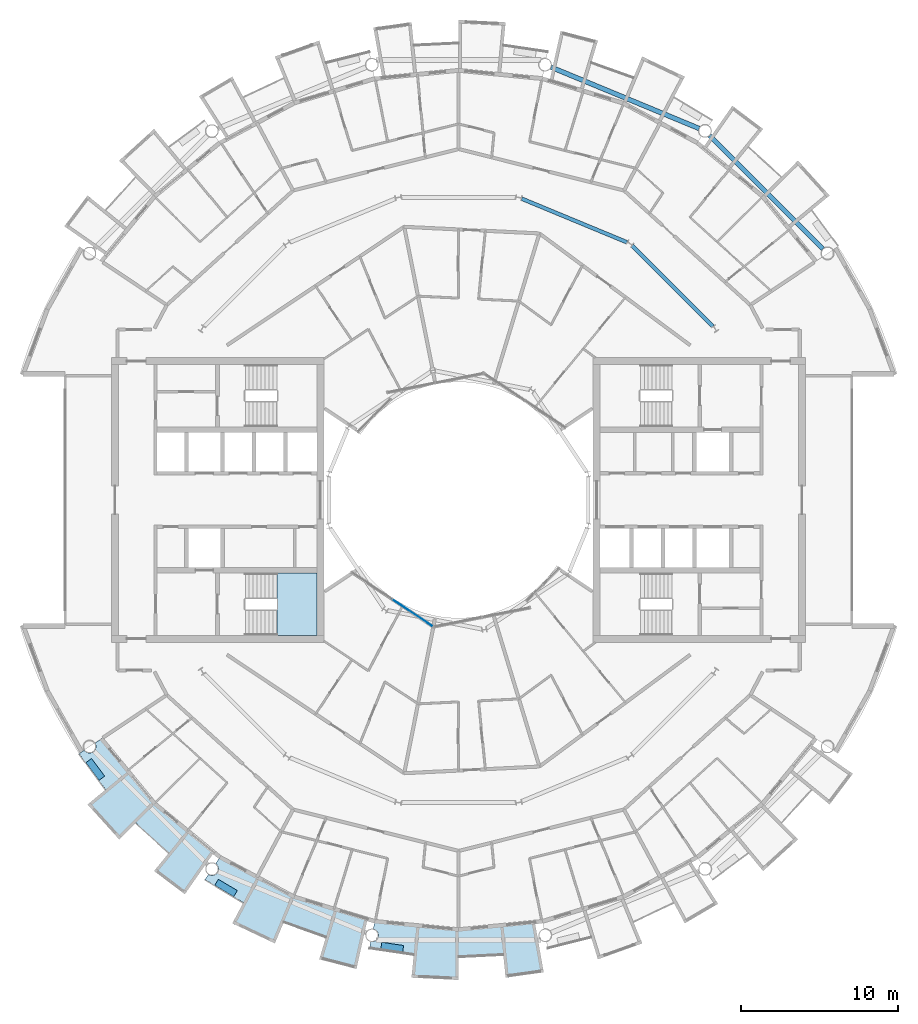
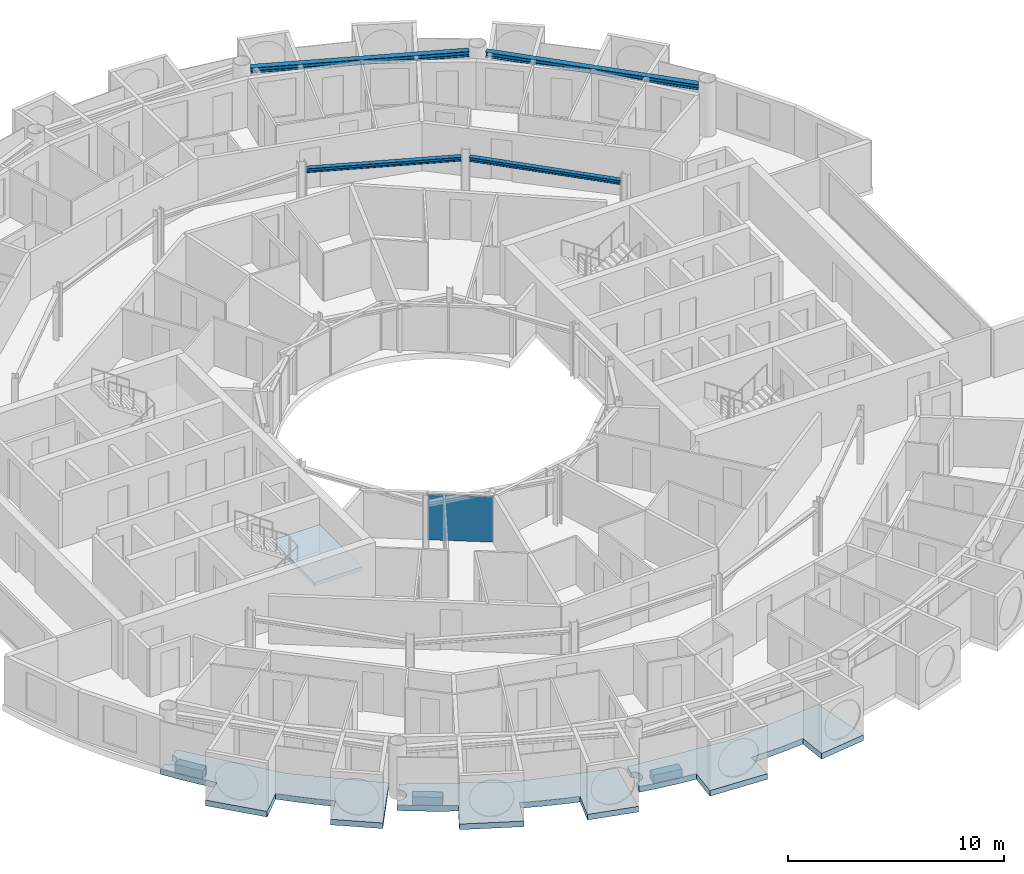
# One storey, part 11 of 29: 7 slabs, 4 beams, 1 plate, 2 elements without a shape of their own.
"""IFC4 building model written with IfcOpenShell, lengths in metres."""

from ifc_helpers import new_model, si_unit, direction, frame, origin, origin_2d, place, context, subcontext, project, spatial, polyline, rectangle, i_section, outline, extrude, material, layer, layer_set, material_profile, profile_set, type_object, element, aggregate, save


model = new_model("IFC4")

# Units and contexts
model_context = context("Model", 3, precision=1e-05, world=origin(), true_north=direction((0.0, 1.0)))
body_context = subcontext(model_context, "Body", "Model", "MODEL_VIEW")
ifc_project = project(units=[si_unit("LENGTHUNIT", "METRE"), si_unit("AREAUNIT", "SQUARE_METRE"), si_unit("VOLUMEUNIT", "CUBIC_METRE"), si_unit("PLANEANGLEUNIT", "RADIAN"), si_unit("MASSUNIT", "GRAM", prefix="KILO")], contexts=[model_context])

# Site, building, storey
site_placement = place(None, origin())
site = spatial("IfcSite", under=ifc_project, at=site_placement, CompositionType="ELEMENT")
building_placement = place(site_placement, origin())
building = spatial("IfcBuilding", under=site, at=building_placement, Name="Maasbend Ring Residences", CompositionType="ELEMENT")
storey_placement = place(building_placement, frame((0.0, 0.0, 190.199951171875)))
storey = spatial("IfcBuildingStorey", under=building, at=storey_placement, Name="L54", CompositionType="ELEMENT", Elevation=190.199951171875)

# Beams
ifc_material_1 = material(Name="Steel S355J2", Category="steel")
ifc_material_profile_1 = material_profile(ifc_material_1, i_section(OverallWidth=0.239990234375, OverallDepth=0.22998046875, WebThickness=0.007568359375, FlangeThickness=0.011962890625, FilletRadius=0.02099609375, at=origin_2d()), Name="HEA 240")
ifc_profile_set_1 = profile_set([ifc_material_profile_1], Name="Steel S355J2")
beam_type_1 = type_object("IfcBeamType", Name="Corridor ring beam HEA 240", PredefinedType="BEAM", material=ifc_profile_set_1)
beam_1_placement = place(storey_placement, frame((16.152587890625, 11.033447265625, 2.5849609375), z_axis=(-0.707106781187, 0.707106781187, 0.0), x_axis=(-0.707106781187, -0.707106781187, 0.0)))
element("IfcBeam", 1, at=beam_1_placement, inside=storey, type_object=beam_type_1, Name="Corridor ring beam", PredefinedType="BEAM", context=body_context, shape_type="SweptSolid", body=[
    extrude(i_section(OverallWidth=0.239990234375, OverallDepth=0.22998046875, WebThickness=0.007568359375, FlangeThickness=0.011962890625, FilletRadius=0.02099609375, at=origin_2d()), origin(), (0.0, 0.0, 1.0), 7.239501953125),
])
beam_2_placement = place(storey_placement, frame((10.70068359375, 16.374755859375, 2.5849609375), z_axis=(-0.923865162022, 0.382718123952, 0.0), x_axis=(-0.382718123952, -0.923865162022, 0.0)))
element("IfcBeam", 2, at=beam_2_placement, inside=storey, type_object=beam_type_1, Name="Corridor ring beam", PredefinedType="BEAM", context=body_context, shape_type="SweptSolid", body=[
    extrude(i_section(OverallWidth=0.239990234375, OverallDepth=0.22998046875, WebThickness=0.007568359375, FlangeThickness=0.011962890625, FilletRadius=0.02099609375, at=origin_2d()), origin(), (0.0, 0.0, 1.0), 7.23974609375),
])
ifc_material_2 = material(Name="Steel S355J2", Category="steel")
ifc_material_profile_2 = material_profile(ifc_material_2, i_section(OverallWidth=0.300048828125, OverallDepth=0.300048828125, WebThickness=0.010986328125, FlangeThickness=0.01904296875, FilletRadius=0.027099609375, at=origin_2d()), Name="HEB 300")
ifc_profile_set_2 = profile_set([ifc_material_profile_2], Name="Steel S355J2")
beam_type_2 = type_object("IfcBeamType", Name="Spandrel ring beam HEB 300", PredefinedType="SPANDREL", material=ifc_profile_set_2)
for number, where, z_axis, x_axis, name in (
    (3, (23.159912109375, 15.95458984375, 2.550048828125), (-0.707106781187, 0.707106781187, 0.0), (-0.707106781187, -0.707106781187, 0.0), "Spandrel ring beam"),
    (4, (15.29150390625, 23.60302734375, 2.550048828125), (-0.923883676188, 0.382673428492, 0.0), (-0.382673428492, -0.923883676188, 0.0), "Spandrel ring beam"),
):
    element("IfcBeam", number, at=place(storey_placement, frame(where, z_axis=z_axis, x_axis=x_axis)), inside=storey, type_object=beam_type_2, Name=name, PredefinedType="SPANDREL", context=body_context, shape_type="SweptSolid", body=[
        extrude(i_section(OverallWidth=0.300048828125, OverallDepth=0.300048828125, WebThickness=0.010986328125, FlangeThickness=0.01904296875, FilletRadius=0.027099609375, at=origin_2d()), origin(), (0.0, 0.0, 1.0), 10.18994140625),
    ])

# Stair, slab
ifc_material_3 = material(Name="Concrete C40/50", Category="concrete")
stair_type = type_object("IfcStairType", Name="CORE STAIR 18 RISERS", PredefinedType="HALF_TURN_STAIR", material=ifc_material_3)
stair_placement = place(storey_placement, origin())
stair = element("IfcStair", 5, at=stair_placement, inside=storey, type_object=stair_type, Name="L54 Exit stair ST-W1", PredefinedType="HALF_TURN_STAIR")
ifc_material_4 = material(Name="Concrete C40/50", Category="concrete")
ifc_layer_1 = layer(ifc_material_4, 0.199951171875)
ifc_layer_set_1 = layer_set([ifc_layer_1], Name="Concrete C40/50")
slab_type_1 = type_object("IfcSlabType", Name="CORE STAIR LANDING 200", PredefinedType="LANDING", material=ifc_layer_set_1)
slab_1_placement = place(storey_placement, frame((0.0, 0.0, 1.324951171875)))
slab_1 = element("IfcSlab", 6, at=slab_1_placement, type_object=slab_type_1, Name="ST-W1 landing 1", PredefinedType="LANDING", context=body_context, shape_type="SweptSolid", body=[
    extrude(outline(polyline([(-11.550048828125, -8.60009765625), (-9.0, -8.60009765625), (-9.0, -4.64990234375), (-11.550048828125, -4.64990234375), (-11.550048828125, -8.60009765625)])), origin(), (0.0, 0.0, 1.0), 0.2001953125),
])
aggregate(stair, [slab_1])

# Curtain wall, plate
ifc_material_5 = material(Name="Aluminium and clear glass", Category="aluminium")
ifc_layer_2 = layer(ifc_material_5, 0.179931640625)
ifc_layer_set_2 = layer_set([ifc_layer_2], Name="CW-W")
curtain_wall_type = type_object("IfcCurtainWallType", Name="CW-W", PredefinedType="NOTDEFINED", material=ifc_layer_set_2)
curtain_wall_placement = place(storey_placement, origin())
curtain_wall = element("IfcCurtainWall", 7, at=curtain_wall_placement, inside=storey, type_object=curtain_wall_type, Name="Well curtain wall S1", PredefinedType="NOTDEFINED")
ifc_material_6 = material(Name="Glass clear laminated", Category="glass")
ifc_layer_3 = layer(ifc_material_6, 0.031982421875)
ifc_layer_set_3 = layer_set([ifc_layer_3], Name="CWP-W")
plate_type = type_object("IfcPlateType", Name="CWP-W", PredefinedType="CURTAIN_PANEL", material=ifc_layer_set_3)
plate_placement = place(storey_placement, frame((-2.922119140625, -7.17578125, 0.0), z_axis=(0.0, 0.0, 1.0), x_axis=(0.831469612303, -0.55557023302, 0.0)))
plate = element("IfcPlate", 8, at=plate_placement, type_object=plate_type, Name="Glass panel well face", PredefinedType="CURTAIN_PANEL", context=body_context, shape_type="SweptSolid", body=[
    extrude(rectangle(XDim=3.053955078125, YDim=0.031982421875, at=origin_2d()), origin(), (0.0, 0.0, 1.0), 2.580078125),
])
aggregate(curtain_wall, [plate])

# Slabs
ifc_material_7 = material(Name="Planting with climbing greenery")
ifc_layer_4 = layer(ifc_material_7, 0.449951171875)
ifc_layer_set_4 = layer_set([ifc_layer_4], Name="PLANTER-LG")
slab_type_2 = type_object("IfcSlabType", Name="PLANTER-LG", PredefinedType="USERDEFINED", material=ifc_layer_set_4)
slab_2_placement = place(storey_placement, frame((0.0, 0.0, -0.030029296875)))
element("IfcSlab", 9, at=slab_2_placement, inside=storey, type_object=slab_type_2, Name="Planter with climbing greenery 1", ObjectType="PLANTER", PredefinedType="USERDEFINED", context=body_context, shape_type="SweptSolid", body=[
    extrude(outline(polyline([(-23.681884765625, -16.69189453125), (-22.847900390625, -17.81689453125), (-22.487060546875, -17.549072265625), (-23.321044921875, -16.424072265625), (-23.681884765625, -16.69189453125)])), origin(), (0.0, 0.0, 1.0), 0.4501953125),
])
slab_3_placement = place(storey_placement, frame((0.0, 0.0, -0.030029296875)))
element("IfcSlab", 10, at=slab_3_placement, inside=storey, type_object=slab_type_2, Name="Planter with climbing greenery 2", ObjectType="PLANTER", PredefinedType="USERDEFINED", context=body_context, shape_type="SweptSolid", body=[
    extrude(outline(polyline([(-15.490966796875, -24.48388671875), (-14.291015625, -25.2041015625), (-14.05908203125, -24.818115234375), (-15.260009765625, -24.097900390625), (-15.490966796875, -24.48388671875)])), origin(), (0.0, 0.0, 1.0), 0.4501953125),
])
slab_4_placement = place(storey_placement, frame((0.0, 0.0, -0.030029296875)))
element("IfcSlab", 11, at=slab_4_placement, inside=storey, type_object=slab_type_2, Name="Planter with climbing greenery 3", ObjectType="PLANTER", PredefinedType="USERDEFINED", context=body_context, shape_type="SweptSolid", body=[
    extrude(outline(polyline([(-4.94189453125, -28.549072265625), (-3.55810546875, -28.75390625), (-3.491943359375, -28.30908203125), (-4.8759765625, -28.10400390625), (-4.94189453125, -28.549072265625)])), origin(), (0.0, 0.0, 1.0), 0.4501953125),
])
ifc_material_8 = material(Name="Concrete C40/50", Category="concrete")
ifc_layer_5 = layer(ifc_material_8, 0.199951171875)
ifc_layer_set_5 = layer_set([ifc_layer_5], Name="Concrete C40/50")
slab_type_3 = type_object("IfcSlabType", Name="SL-LOGGIA", PredefinedType="FLOOR", material=ifc_layer_set_5)
slab_5_placement = place(storey_placement, frame((0.0, 0.0, -0.349853515625)))
element("IfcSlab", 12, at=slab_5_placement, inside=storey, type_object=slab_type_3, Name="Loggia floor 1", PredefinedType="FLOOR", context=body_context, shape_type="SweptSolid", body=[
    extrude(outline(polyline([(-15.866943359375, -23.801025390625), (-15.85888671875, -23.805908203125), (-15.85009765625, -23.81005859375), (-15.841064453125, -23.81494140625), (-15.83203125, -23.819091796875), (-15.822998046875, -23.822998046875), (-15.81298828125, -23.826904296875), (-15.803955078125, -23.830078125), (-15.794921875, -23.8330078125), (-15.784912109375, -23.8359375), (-15.77587890625, -23.839111328125), (-15.76611328125, -23.842041015625), (-15.756103515625, -23.843994140625), (-15.74609375, -23.845947265625), (-15.737060546875, -23.847900390625), (-15.72705078125, -23.85009765625), (-15.717041015625, -23.85107421875), (-15.70703125, -23.85205078125), (-15.697021484375, -23.85302734375), (-15.68701171875, -23.85302734375), (-15.677001953125, -23.85400390625), (-15.6669921875, -23.85400390625), (-15.656982421875, -23.85400390625), (-15.64697265625, -23.85302734375), (-15.636962890625, -23.85302734375), (-15.626953125, -23.85205078125), (-15.616943359375, -23.85107421875), (-15.60693359375, -23.85009765625), (-15.597900390625, -23.847900390625), (-15.587890625, -23.845947265625), (-15.577880859375, -23.843994140625), (-15.568115234375, -23.842041015625), (-15.55908203125, -23.839111328125), (-15.549072265625, -23.8359375), (-15.5400390625, -23.8330078125), (-15.530029296875, -23.830078125), (-15.52099609375, -23.826904296875), (-15.511962890625, -23.822998046875), (-15.501953125, -23.819091796875), (-15.492919921875, -23.81494140625), (-15.48388671875, -23.81005859375), (-15.47509765625, -23.805908203125), (-15.467041015625, -23.801025390625), (-15.4580078125, -23.7958984375), (-15.449951171875, -23.791015625), (-15.44091796875, -23.784912109375), (-15.43310546875, -23.780029296875), (-15.425048828125, -23.77392578125), (-15.4169921875, -23.76806640625), (-15.408935546875, -23.761962890625), (-15.402099609375, -23.7548828125), (-15.39404296875, -23.7490234375), (-15.386962890625, -23.741943359375), (-15.3798828125, -23.735107421875), (-15.373046875, -23.72802734375), (-15.365966796875, -23.719970703125), (-15.35888671875, -23.712890625), (-15.35302734375, -23.705078125), (-15.346923828125, -23.697021484375), (-15.341064453125, -23.68994140625), (-15.3349609375, -23.680908203125), (-15.3291015625, -23.673095703125), (-15.323974609375, -23.6650390625), (-15.318115234375, -23.656005859375), (-15.31298828125, -23.64794921875), (-15.30908203125, -23.638916015625), (-15.303955078125, -23.6298828125), (-15.300048828125, -23.62109375), (-15.294921875, -23.612060546875), (-15.2919921875, -23.60302734375), (-15.2880859375, -23.593994140625), (-15.283935546875, -23.583984375), (-15.281005859375, -23.574951171875), (-15.278076171875, -23.56494140625), (-15.27490234375, -23.555908203125), (-15.27294921875, -23.5458984375), (-15.27001953125, -23.535888671875), (-15.26806640625, -23.527099609375), (-15.26708984375, -23.51708984375), (-15.264892578125, -23.507080078125), (-15.263916015625, -23.4970703125), (-15.262939453125, -23.487060546875), (-15.261962890625, -23.47705078125), (-15.260986328125, -23.467041015625), (-15.260986328125, -23.45703125), (-15.260986328125, -23.447021484375), (-15.260986328125, -23.43701171875), (-15.260986328125, -23.427001953125), (-15.261962890625, -23.4169921875), (-15.262939453125, -23.407958984375), (-15.263916015625, -23.39794921875), (-15.264892578125, -23.387939453125), (-15.26708984375, -23.3779296875), (-15.26806640625, -23.367919921875), (-15.27001953125, -23.35791015625), (-15.27294921875, -23.34912109375), (-15.27490234375, -23.339111328125), (-15.278076171875, -23.3291015625), (-15.281005859375, -23.320068359375), (-15.283935546875, -23.31005859375), (-15.2880859375, -23.301025390625), (-15.2919921875, -23.2919921875), (-15.294921875, -23.282958984375), (-15.300048828125, -23.27392578125), (-15.303955078125, -23.264892578125), (-15.30908203125, -23.256103515625), (-15.31298828125, -23.2470703125), (-15.318115234375, -23.238037109375), (-15.323974609375, -23.22998046875), (-15.3291015625, -23.221923828125), (-15.3349609375, -23.212890625), (-15.341064453125, -23.205078125), (-15.346923828125, -23.197021484375), (-15.35302734375, -23.18994140625), (-15.35888671875, -23.181884765625), (-15.365966796875, -23.174072265625), (-15.373046875, -23.1669921875), (-15.3798828125, -23.159912109375), (-15.386962890625, -23.153076171875), (-15.39404296875, -23.14599609375), (-15.402099609375, -23.139892578125), (-15.408935546875, -23.133056640625), (-15.4169921875, -23.126953125), (-15.425048828125, -23.12109375), (-15.43310546875, -23.114990234375), (-15.44091796875, -23.10888671875), (-15.1669921875, -22.698974609375), (-15.1669921875, -22.698974609375), (-15.1669921875, -22.698974609375), (-12.806884765625, -23.9609375), (-10.447021484375, -25.221923828125), (-10.447021484375, -25.221923828125), (-10.447021484375, -25.221923828125), (-7.886962890625, -25.9990234375), (-5.797119140625, -26.633056640625), (-5.797119140625, -26.633056640625), (-5.797119140625, -26.633056640625), (-6.487060546875, -29.802001953125), (-6.487060546875, -29.802001953125), (-6.487060546875, -29.802001953125), (-8.85400390625, -29.18701171875), (-8.85400390625, -29.18701171875), (-8.85400390625, -29.18701171875), (-8.41796875, -27.751953125), (-8.41796875, -27.751953125), (-8.41796875, -27.751953125), (-8.41796875, -27.751953125), (-8.41796875, -27.751953125), (-8.41796875, -27.751953125), (-8.41796875, -27.7509765625), (-8.41796875, -27.7509765625), (-8.41796875, -27.7509765625), (-8.41796875, -27.7509765625), (-8.41796875, -27.7509765625), (-8.4189453125, -27.7509765625), (-8.4189453125, -27.7509765625), (-8.4189453125, -27.7509765625), (-8.4189453125, -27.7509765625), (-8.4189453125, -27.7509765625), (-8.4189453125, -27.7509765625), (-9.322021484375, -27.4609375), (-9.322021484375, -27.4609375), (-10.215087890625, -27.14111328125), (-10.215087890625, -27.14111328125), (-11.096923828125, -26.79296875), (-11.096923828125, -26.79296875), (-11.096923828125, -26.79296875), (-11.097900390625, -26.79296875), (-11.097900390625, -26.79296875), (-11.097900390625, -26.79296875), (-11.097900390625, -26.79296875), (-11.097900390625, -26.79296875), (-11.097900390625, -26.79296875), (-11.097900390625, -26.79296875), (-11.097900390625, -26.79296875), (-11.097900390625, -26.79296875), (-11.097900390625, -26.79296875), (-11.097900390625, -26.79296875), (-11.097900390625, -26.79296875), (-11.097900390625, -26.79296875), (-11.097900390625, -26.79296875), (-11.672119140625, -28.177978515625), (-11.672119140625, -28.177978515625), (-11.672119140625, -28.177978515625), (-14.3779296875, -26.89892578125), (-14.3779296875, -26.89892578125), (-14.3779296875, -26.89892578125), (-13.6708984375, -25.575927734375), (-13.6708984375, -25.575927734375), (-13.6708984375, -25.575927734375), (-13.6708984375, -25.575927734375), (-13.6708984375, -25.575927734375), (-13.6708984375, -25.575927734375), (-13.6708984375, -25.575927734375), (-13.6708984375, -25.575927734375), (-13.6708984375, -25.575927734375), (-13.6708984375, -25.575927734375), (-13.6708984375, -25.575927734375), (-13.6708984375, -25.575927734375), (-13.6708984375, -25.575927734375), (-13.6708984375, -25.575927734375), (-13.6708984375, -25.575927734375), (-13.6708984375, -25.575927734375), (-13.6708984375, -25.574951171875), (-14.5, -25.114990234375), (-14.5, -25.114990234375), (-15.31396484375, -24.626953125), (-15.31396484375, -24.626953125), (-16.112060546875, -24.113037109375), (-16.112060546875, -24.113037109375), (-16.112060546875, -24.113037109375), (-15.89306640625, -23.784912109375), (-15.885009765625, -23.791015625), (-15.8759765625, -23.7958984375), (-15.866943359375, -23.801025390625)])), origin(), (0.0, 0.0, 1.0), 0.31982421875),
])
slab_6_placement = place(storey_placement, frame((0.0, 0.0, -0.349853515625)))
element("IfcSlab", 13, at=slab_6_placement, inside=storey, type_object=slab_type_3, Name="Loggia floor 3", PredefinedType="FLOOR", context=body_context, shape_type="SweptSolid", body=[
    extrude(outline(polyline([(-2.6630859375, -27.0380859375), (0.0, -27.300048828125), (0.0, -27.300048828125), (0.0, -27.300048828125), (2.6630859375, -27.0380859375), (4.8359375, -26.823974609375), (4.8359375, -26.823974609375), (4.8359375, -26.823974609375), (5.412109375, -30.01611328125), (5.412109375, -30.01611328125), (5.412109375, -30.01611328125), (2.989990234375, -30.35302734375), (2.989990234375, -30.35302734375), (2.989990234375, -30.35302734375), (2.843017578125, -28.861083984375), (2.843017578125, -28.861083984375), (2.843017578125, -28.861083984375), (2.843017578125, -28.861083984375), (2.842041015625, -28.861083984375), (2.842041015625, -28.861083984375), (2.842041015625, -28.861083984375), (2.842041015625, -28.861083984375), (2.842041015625, -28.861083984375), (2.842041015625, -28.860107421875), (2.842041015625, -28.860107421875), (2.842041015625, -28.860107421875), (2.842041015625, -28.860107421875), (2.842041015625, -28.860107421875), (2.842041015625, -28.860107421875), (2.842041015625, -28.860107421875), (2.842041015625, -28.860107421875), (1.89697265625, -28.93798828125), (1.89697265625, -28.93798828125), (0.948974609375, -28.98388671875), (0.948974609375, -28.98388671875), (0.0, -29.0), (0.0, -29.0), (0.0, -29.0), (0.0, -29.0), (0.0, -29.0), (0.0, -29.0), (0.0, -29.0), (0.0, -29.0), (0.0, -29.0), (0.0, -29.0), (0.0, -29.0), (0.0, -29.0), (0.0, -29.0), (0.0, -29.0), (0.0, -29.0), (0.0, -29.0), (0.0, -29.0), (0.0, -30.5), (0.0, -30.5), (0.0, -30.5), (-2.989990234375, -30.35302734375), (-2.989990234375, -30.35302734375), (-2.989990234375, -30.35302734375), (-2.843017578125, -28.861083984375), (-2.843017578125, -28.861083984375), (-2.843017578125, -28.861083984375), (-2.843017578125, -28.861083984375), (-2.843017578125, -28.861083984375), (-2.843017578125, -28.861083984375), (-2.843017578125, -28.861083984375), (-2.843017578125, -28.861083984375), (-2.843017578125, -28.860107421875), (-2.843017578125, -28.860107421875), (-2.843017578125, -28.860107421875), (-2.843017578125, -28.860107421875), (-2.843017578125, -28.860107421875), (-2.843017578125, -28.860107421875), (-2.843017578125, -28.860107421875), (-2.843017578125, -28.860107421875), (-2.843017578125, -28.860107421875), (-3.784912109375, -28.751953125), (-3.784912109375, -28.751953125), (-4.72412109375, -28.613037109375), (-4.72412109375, -28.613037109375), (-5.657958984375, -28.443115234375), (-5.657958984375, -28.443115234375), (-5.657958984375, -28.443115234375), (-5.5810546875, -28.056884765625), (-5.5810546875, -28.056884765625), (-5.571044921875, -28.05908203125), (-5.56103515625, -28.06005859375), (-5.551025390625, -28.06201171875), (-5.541015625, -28.06298828125), (-5.531005859375, -28.06298828125), (-5.52099609375, -28.06396484375), (-5.510986328125, -28.06396484375), (-5.501953125, -28.06494140625), (-5.491943359375, -28.06396484375), (-5.48193359375, -28.06396484375), (-5.471923828125, -28.06298828125), (-5.4619140625, -28.06298828125), (-5.451904296875, -28.06201171875), (-5.44189453125, -28.06005859375), (-5.431884765625, -28.05908203125), (-5.422119140625, -28.056884765625), (-5.412109375, -28.054931640625), (-5.403076171875, -28.052001953125), (-5.39306640625, -28.050048828125), (-5.383056640625, -28.047119140625), (-5.3740234375, -28.0439453125), (-5.364990234375, -28.041015625), (-5.35498046875, -28.037109375), (-5.345947265625, -28.033935546875), (-5.3369140625, -28.030029296875), (-5.327880859375, -28.02587890625), (-5.319091796875, -28.02099609375), (-5.31005859375, -28.01708984375), (-5.301025390625, -28.011962890625), (-5.29296875, -28.007080078125), (-5.283935546875, -28.001953125), (-5.27587890625, -27.99609375), (-5.26708984375, -27.989990234375), (-5.259033203125, -27.985107421875), (-5.2509765625, -27.97900390625), (-5.243896484375, -27.971923828125), (-5.236083984375, -27.966064453125), (-5.22900390625, -27.958984375), (-5.220947265625, -27.952880859375), (-5.214111328125, -27.946044921875), (-5.20703125, -27.93798828125), (-5.199951171875, -27.930908203125), (-5.194091796875, -27.924072265625), (-5.18701171875, -27.916015625), (-5.180908203125, -27.907958984375), (-5.175048828125, -27.89990234375), (-5.1689453125, -27.89208984375), (-5.1640625, -27.884033203125), (-5.157958984375, -27.8759765625), (-5.153076171875, -27.866943359375), (-5.14794921875, -27.85791015625), (-5.14306640625, -27.85009765625), (-5.137939453125, -27.841064453125), (-5.134033203125, -27.83203125), (-5.1298828125, -27.822998046875), (-5.1259765625, -27.81396484375), (-5.1220703125, -27.803955078125), (-5.118896484375, -27.794921875), (-5.115966796875, -27.785888671875), (-5.113037109375, -27.77587890625), (-5.110107421875, -27.76708984375), (-5.10693359375, -27.757080078125), (-5.10498046875, -27.7470703125), (-5.10302734375, -27.737060546875), (-5.10107421875, -27.72802734375), (-5.09912109375, -27.718017578125), (-5.097900390625, -27.7080078125), (-5.096923828125, -27.697998046875), (-5.095947265625, -27.68798828125), (-5.094970703125, -27.677978515625), (-5.094970703125, -27.66796875), (-5.094970703125, -27.657958984375), (-5.094970703125, -27.64794921875), (-5.094970703125, -27.637939453125), (-5.095947265625, -27.6279296875), (-5.096923828125, -27.617919921875), (-5.097900390625, -27.60791015625), (-5.09912109375, -27.597900390625), (-5.10107421875, -27.589111328125), (-5.10302734375, -27.5791015625), (-5.10498046875, -27.569091796875), (-5.10693359375, -27.55908203125), (-5.110107421875, -27.550048828125), (-5.113037109375, -27.5400390625), (-5.115966796875, -27.531005859375), (-5.118896484375, -27.52099609375), (-5.1220703125, -27.511962890625), (-5.1259765625, -27.5029296875), (-5.1298828125, -27.492919921875), (-5.134033203125, -27.48388671875), (-5.137939453125, -27.47509765625), (-5.14306640625, -27.466064453125), (-5.14794921875, -27.4580078125), (-5.153076171875, -27.448974609375), (-5.157958984375, -27.44091796875), (-5.1640625, -27.431884765625), (-5.1689453125, -27.424072265625), (-5.175048828125, -27.416015625), (-5.180908203125, -27.407958984375), (-5.18701171875, -27.39990234375), (-5.194091796875, -27.39306640625), (-5.199951171875, -27.385009765625), (-5.20703125, -27.3779296875), (-5.214111328125, -27.37109375), (-5.220947265625, -27.364013671875), (-5.22900390625, -27.35693359375), (-5.236083984375, -27.35009765625), (-5.243896484375, -27.343994140625), (-5.2509765625, -27.337890625), (-5.259033203125, -27.33203125), (-5.26708984375, -27.325927734375), (-5.27587890625, -27.320068359375), (-5.283935546875, -27.31494140625), (-5.29296875, -27.30908203125), (-5.301025390625, -27.303955078125), (-5.31005859375, -27.300048828125), (-5.319091796875, -27.294921875), (-5.327880859375, -27.291015625), (-5.3369140625, -27.285888671875), (-5.345947265625, -27.282958984375), (-5.35498046875, -27.279052734375), (-5.364990234375, -27.27490234375), (-5.3740234375, -27.27197265625), (-5.383056640625, -27.26904296875), (-5.39306640625, -27.26611328125), (-5.403076171875, -27.263916015625), (-5.412109375, -27.260986328125), (-5.422119140625, -27.259033203125), (-5.422119140625, -27.259033203125), (-5.325927734375, -26.77490234375), (-5.325927734375, -26.77490234375), (-5.325927734375, -26.77490234375), (-2.6630859375, -27.0380859375)])), origin(), (0.0, 0.0, 1.0), 0.31982421875),
])
slab_7_placement = place(storey_placement, frame((0.0, 0.0, -0.349853515625)))
element("IfcSlab", 14, at=slab_7_placement, inside=storey, type_object=slab_type_3, Name="Loggia floor 4", PredefinedType="FLOOR", context=body_context, shape_type="SweptSolid", body=[
    extrude(outline(polyline([(-23.77392578125, -15.908935546875), (-23.76806640625, -15.9169921875), (-23.761962890625, -15.925048828125), (-23.7548828125, -15.93310546875), (-23.7490234375, -15.93994140625), (-23.741943359375, -15.947021484375), (-23.735107421875, -15.955078125), (-23.72802734375, -15.9619140625), (-23.719970703125, -15.968017578125), (-23.712890625, -15.97509765625), (-23.705078125, -15.98095703125), (-23.697021484375, -15.988037109375), (-23.68994140625, -15.993896484375), (-23.680908203125, -15.9990234375), (-23.673095703125, -16.0048828125), (-23.6650390625, -16.010986328125), (-23.656005859375, -16.01611328125), (-23.64794921875, -16.02099609375), (-23.638916015625, -16.02587890625), (-23.6298828125, -16.030029296875), (-23.62109375, -16.034912109375), (-23.612060546875, -16.0390625), (-23.60302734375, -16.04296875), (-23.593994140625, -16.0458984375), (-23.583984375, -16.050048828125), (-23.574951171875, -16.052978515625), (-23.56494140625, -16.055908203125), (-23.555908203125, -16.05908203125), (-23.5458984375, -16.06103515625), (-23.535888671875, -16.06396484375), (-23.527099609375, -16.06591796875), (-23.51708984375, -16.068115234375), (-23.507080078125, -16.069091796875), (-23.4970703125, -16.071044921875), (-23.487060546875, -16.072021484375), (-23.47705078125, -16.072021484375), (-23.467041015625, -16.072998046875), (-23.45703125, -16.072998046875), (-23.447021484375, -16.073974609375), (-23.43701171875, -16.072998046875), (-23.427001953125, -16.072998046875), (-23.4169921875, -16.072021484375), (-23.407958984375, -16.072021484375), (-23.39794921875, -16.071044921875), (-23.387939453125, -16.069091796875), (-23.3779296875, -16.068115234375), (-23.367919921875, -16.06591796875), (-23.35791015625, -16.06396484375), (-23.34912109375, -16.06103515625), (-23.339111328125, -16.05908203125), (-23.3291015625, -16.055908203125), (-23.320068359375, -16.052978515625), (-23.31005859375, -16.050048828125), (-23.301025390625, -16.0458984375), (-23.2919921875, -16.04296875), (-23.282958984375, -16.0390625), (-23.27392578125, -16.034912109375), (-23.264892578125, -16.030029296875), (-23.256103515625, -16.02587890625), (-23.2470703125, -16.02099609375), (-23.238037109375, -16.01611328125), (-23.22998046875, -16.010986328125), (-23.221923828125, -16.0048828125), (-23.212890625, -15.9990234375), (-23.205078125, -15.993896484375), (-23.197021484375, -15.988037109375), (-23.18994140625, -15.98095703125), (-23.181884765625, -15.97509765625), (-23.174072265625, -15.968017578125), (-23.1669921875, -15.9619140625), (-23.159912109375, -15.955078125), (-23.153076171875, -15.947021484375), (-23.14599609375, -15.93994140625), (-23.139892578125, -15.93310546875), (-23.133056640625, -15.925048828125), (-23.126953125, -15.9169921875), (-23.12109375, -15.908935546875), (-23.114990234375, -15.90087890625), (-23.10888671875, -15.89306640625), (-23.10400390625, -15.885009765625), (-23.09912109375, -15.8759765625), (-23.093994140625, -15.866943359375), (-23.089111328125, -15.85888671875), (-23.083984375, -15.85009765625), (-23.080078125, -15.841064453125), (-23.075927734375, -15.83203125), (-23.072021484375, -15.822998046875), (-23.068115234375, -15.81298828125), (-23.06494140625, -15.803955078125), (-23.06103515625, -15.794921875), (-23.05810546875, -15.784912109375), (-23.055908203125, -15.77587890625), (-23.052978515625, -15.76611328125), (-23.051025390625, -15.756103515625), (-23.049072265625, -15.74609375), (-23.047119140625, -15.737060546875), (-23.044921875, -15.72705078125), (-23.0439453125, -15.717041015625), (-23.04296875, -15.70703125), (-23.0419921875, -15.697021484375), (-23.041015625, -15.68701171875), (-23.041015625, -15.677001953125), (-23.041015625, -15.6669921875), (-23.041015625, -15.656982421875), (-23.041015625, -15.64697265625), (-23.0419921875, -15.636962890625), (-23.04296875, -15.626953125), (-23.0439453125, -15.616943359375), (-23.044921875, -15.60693359375), (-23.047119140625, -15.597900390625), (-23.049072265625, -15.587890625), (-23.051025390625, -15.577880859375), (-23.052978515625, -15.568115234375), (-23.055908203125, -15.55908203125), (-23.05810546875, -15.549072265625), (-23.06103515625, -15.5400390625), (-23.06494140625, -15.530029296875), (-23.068115234375, -15.52099609375), (-23.072021484375, -15.511962890625), (-23.075927734375, -15.501953125), (-23.080078125, -15.492919921875), (-23.083984375, -15.48388671875), (-23.089111328125, -15.47509765625), (-23.093994140625, -15.467041015625), (-23.09912109375, -15.4580078125), (-23.10400390625, -15.449951171875), (-23.10888671875, -15.44091796875), (-23.10888671875, -15.44091796875), (-22.698974609375, -15.1669921875), (-22.698974609375, -15.1669921875), (-22.698974609375, -15.1669921875), (-21.001953125, -17.236083984375), (-19.303955078125, -19.303955078125), (-19.303955078125, -19.303955078125), (-19.303955078125, -19.303955078125), (-17.236083984375, -21.001953125), (-15.547119140625, -22.386962890625), (-15.547119140625, -22.386962890625), (-15.547119140625, -22.386962890625), (-17.39794921875, -25.051025390625), (-17.39794921875, -25.051025390625), (-17.39794921875, -25.051025390625), (-19.34912109375, -23.576904296875), (-19.34912109375, -23.576904296875), (-19.34912109375, -23.576904296875), (-18.39794921875, -22.41796875), (-18.39794921875, -22.41796875), (-18.39794921875, -22.41796875), (-18.39794921875, -22.41796875), (-18.39794921875, -22.41796875), (-18.39794921875, -22.4169921875), (-18.39794921875, -22.4169921875), (-18.39794921875, -22.4169921875), (-18.39794921875, -22.4169921875), (-18.39794921875, -22.4169921875), (-18.39794921875, -22.4169921875), (-18.39794921875, -22.4169921875), (-18.39794921875, -22.4169921875), (-18.39794921875, -22.4169921875), (-18.39794921875, -22.4169921875), (-18.39794921875, -22.4169921875), (-18.39794921875, -22.4169921875), (-19.12109375, -21.802978515625), (-19.12109375, -21.802978515625), (-19.823974609375, -21.166015625), (-19.823974609375, -21.166015625), (-20.506103515625, -20.506103515625), (-20.506103515625, -20.506103515625), (-20.506103515625, -20.506103515625), (-20.506103515625, -20.506103515625), (-20.506103515625, -20.506103515625), (-20.506103515625, -20.506103515625), (-20.506103515625, -20.506103515625), (-20.506103515625, -20.506103515625), (-20.506103515625, -20.506103515625), (-20.506103515625, -20.506103515625), (-20.506103515625, -20.506103515625), (-20.506103515625, -20.506103515625), (-20.506103515625, -20.506103515625), (-20.506103515625, -20.506103515625), (-20.506103515625, -20.506103515625), (-20.506103515625, -20.506103515625), (-20.506103515625, -20.506103515625), (-21.56689453125, -21.56689453125), (-21.56689453125, -21.56689453125), (-21.56689453125, -21.56689453125), (-23.576904296875, -19.34912109375), (-23.576904296875, -19.34912109375), (-23.576904296875, -19.34912109375), (-22.41796875, -18.39794921875), (-22.41796875, -18.39794921875), (-22.41796875, -18.39794921875), (-22.41796875, -18.39794921875), (-22.41796875, -18.39794921875), (-22.41796875, -18.39794921875), (-22.41796875, -18.39697265625), (-22.41796875, -18.39697265625), (-22.41796875, -18.39697265625), (-22.41796875, -18.39697265625), (-22.41796875, -18.39697265625), (-22.41796875, -18.39697265625), (-22.41796875, -18.39697265625), (-22.41796875, -18.39697265625), (-22.41796875, -18.39697265625), (-22.41796875, -18.39697265625), (-22.41796875, -18.39697265625), (-23.007080078125, -17.654052734375), (-23.007080078125, -17.654052734375), (-23.572998046875, -16.89208984375), (-23.572998046875, -16.89208984375), (-24.113037109375, -16.112060546875), (-24.113037109375, -16.112060546875), (-24.113037109375, -16.112060546875), (-23.784912109375, -15.89306640625), (-23.784912109375, -15.89306640625), (-23.780029296875, -15.90087890625), (-23.77392578125, -15.908935546875)])), origin(), (0.0, 0.0, 1.0), 0.31982421875),
])

save(model, "model.ifc")
